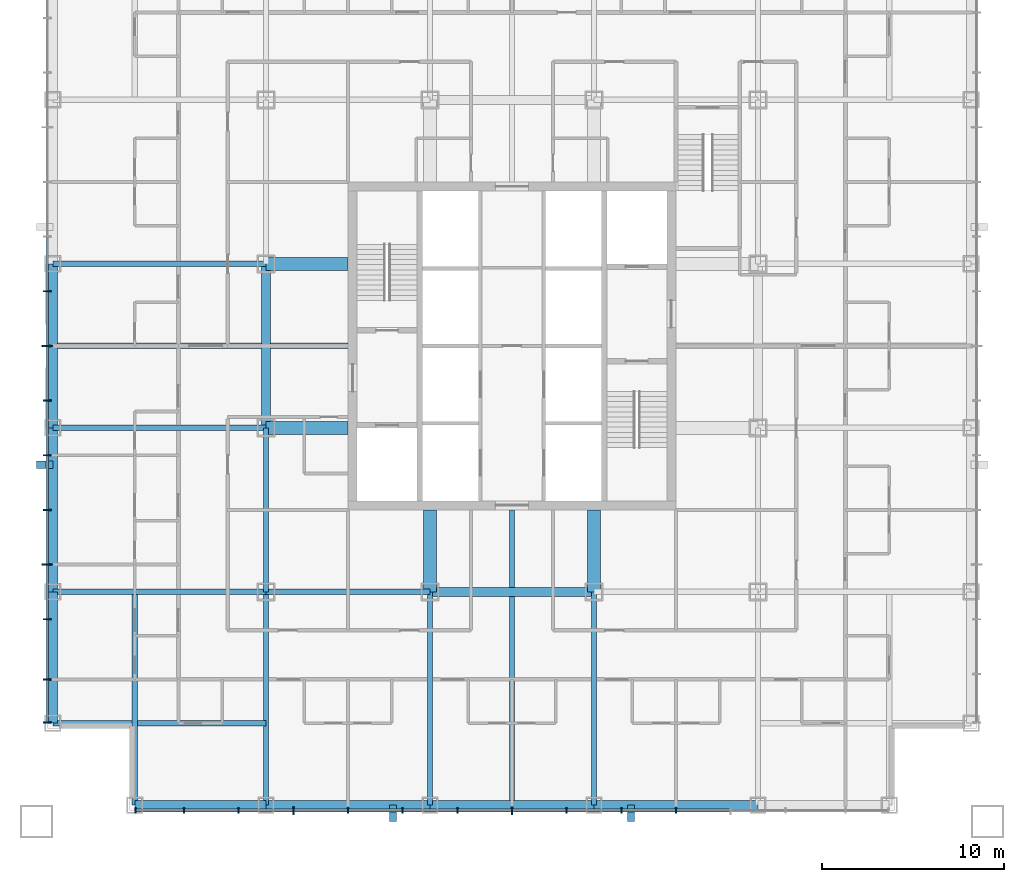
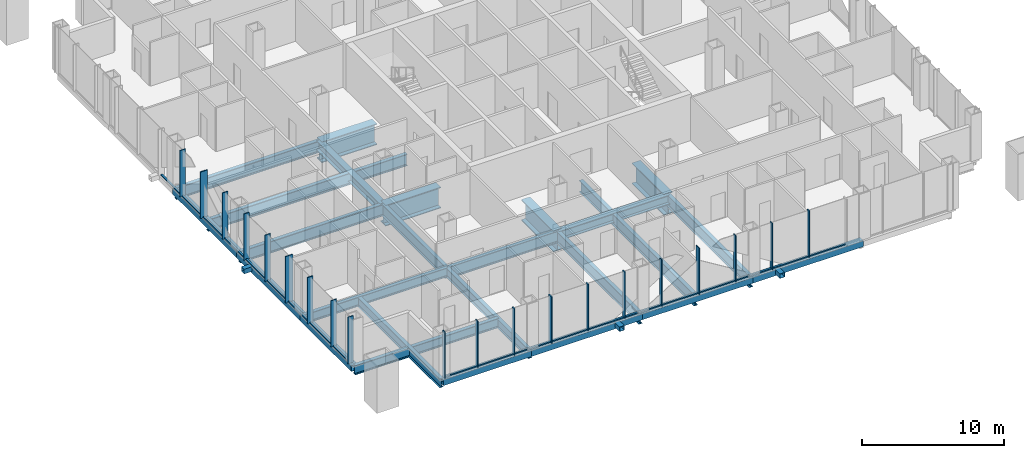
# One storey, part 2 of 13: 43 members, 25 beams, 2 elements without a shape of their own.
"""IFC4 building model written with IfcOpenShell, lengths in metres."""

import ifcopenshell
import ifcopenshell.guid

model = None  # the IFC model being written
_history = None  # IfcOwnerHistory: only IFC2X3 demands one
_inside = {}  # id of a spatial element -> (the spatial element, [elements in it])
_under = {}  # id of a project, library or spatial element -> (it, [spatial elements below it])
_declared = {}  # id of a project -> (the project, [libraries it declares])
_typed = {}  # id of a type object -> (the type object, [elements of that type])
_made_of = {}  # id of a material, layer set ... -> (it, [elements and type objects made of it])


def new_model(schema):
    """Start an empty IFC model of exactly this schema.

    Asked for "IFC4X3", IfcOpenShell would pick the latest addendum, in which some entities
    have other attributes; the version numbers below select the first issue.
    IFC2X3 requires an IfcOwnerHistory on every rooted entity: one is made here for all.
    """
    global model, _history
    if schema == "IFC4X3":
        model = ifcopenshell.file(schema_version=(4, 3, 0, 0))
    else:
        model = ifcopenshell.file(schema=schema)
    _inside.clear()
    _under.clear()
    _declared.clear()
    _typed.clear()
    _made_of.clear()
    _history = None
    if model.schema == "IFC2X3":
        org = make("IfcOrganization", Name="unknown")
        user = make(
            "IfcPersonAndOrganization",
            ThePerson=make("IfcPerson", FamilyName="unknown"),
            TheOrganization=org,
        )
        app = make(
            "IfcApplication",
            ApplicationDeveloper=org,
            Version="unknown",
            ApplicationFullName="unknown",
            ApplicationIdentifier="unknown",
        )
        _history = make(
            "IfcOwnerHistory",
            OwningUser=user,
            OwningApplication=app,
            ChangeAction="ADDED",
            CreationDate=0,
        )
    return model


def make(cls, **values):
    """One entity of the class cls with the attributes given. An attribute that is None is left unset."""
    return model.create_entity(
        cls, **{name: value for name, value in values.items() if value is not None}
    )


def rooted(cls, **values):
    """An entity with a GlobalId (a new one), such as an element, a storey or a relation."""
    return make(cls, GlobalId=ifcopenshell.guid.new(), OwnerHistory=_history, **values)


def si_unit(unit_type, name, prefix=None):
    """IfcSIUnit, for example si_unit("LENGTHUNIT", "METRE", prefix="MILLI")."""
    return make("IfcSIUnit", UnitType=unit_type, Prefix=prefix, Name=name)


def assignment(units):
    """IfcUnitAssignment: the units of a project."""
    return None if units is None else make("IfcUnitAssignment", Units=units)


def point(xyz):
    """IfcCartesianPoint."""
    return None if xyz is None else make("IfcCartesianPoint", Coordinates=xyz)


def direction(xyz):
    """IfcDirection."""
    return None if xyz is None else make("IfcDirection", DirectionRatios=xyz)


def frame(location, z_axis=None, x_axis=None):
    """IfcAxis2Placement3D, a coordinate frame: its origin and axes. An axis left out is left unset."""
    return make(
        "IfcAxis2Placement3D",
        Location=point(location),
        Axis=direction(z_axis),
        RefDirection=direction(x_axis),
    )


def frame_2d(location, x_axis=None):
    """IfcAxis2Placement2D, a coordinate frame in the plane: its origin and x axis."""
    return make(
        "IfcAxis2Placement2D", Location=point(location), RefDirection=direction(x_axis)
    )


def origin():
    """The frame at (0, 0, 0) with its axes left unset."""
    return frame((0.0, 0.0, 0.0))


def origin_2d():
    """The frame at (0, 0) in the plane with its x axis left unset."""
    return frame_2d((0.0, 0.0))


def place(relative_to, where):
    """IfcLocalPlacement: puts the frame where relative to a parent placement (None: the world)."""
    return make(
        "IfcLocalPlacement", PlacementRelTo=relative_to, RelativePlacement=where
    )


def context(
    kind, dimensions, precision=None, world=None, true_north=None, identifier=None
):
    """IfcGeometricRepresentationContext, for example the 3D "Model" context."""
    return make(
        "IfcGeometricRepresentationContext",
        ContextIdentifier=identifier,
        ContextType=kind,
        CoordinateSpaceDimension=dimensions,
        Precision=precision,
        WorldCoordinateSystem=world,
        TrueNorth=true_north,
    )


def subcontext(parent, identifier, kind, view, scale=None):
    """IfcGeometricRepresentationSubContext, for example "Body" below "Model"."""
    return make(
        "IfcGeometricRepresentationSubContext",
        ContextIdentifier=identifier,
        ContextType=kind,
        ParentContext=parent,
        TargetScale=scale,
        TargetView=view,
    )


def project(units=None, contexts=None):
    """IfcProject with its units and contexts."""
    return rooted(
        "IfcProject",
        Name="project",
        RepresentationContexts=contexts,
        UnitsInContext=assignment(units),
    )


def spatial(cls, under=None, at=None, **own):
    """A site, building, storey or space (cls), placed at a placement, below another one or the project."""
    s = rooted(cls, ObjectPlacement=at, **own)
    if under is not None:
        _under.setdefault(under.id(), (under, []))[1].append(s)
    return s


def profile(cls, at=None, kind="AREA", **sizes):
    """A parametric profile (cls). Its sizes go by their IFC names, for example OverallWidth=200.0."""
    return make(cls, ProfileType=kind, Position=at, **sizes)


def rectangle(**sizes):
    """IfcRectangleProfileDef."""
    return profile("IfcRectangleProfileDef", **sizes)


def hollow_rectangle(**sizes):
    """IfcRectangleHollowProfileDef."""
    return profile("IfcRectangleHollowProfileDef", **sizes)


def i_section(**sizes):
    """IfcIShapeProfileDef."""
    return profile("IfcIShapeProfileDef", **sizes)


def extrude(swept, where, along, depth):
    """IfcExtrudedAreaSolid: the profile swept, set in the frame where, extruded along a direction by depth."""
    return make(
        "IfcExtrudedAreaSolid",
        SweptArea=swept,
        Position=where,
        ExtrudedDirection=direction(along),
        Depth=depth,
    )


def shape(context_of_items, identifier, shape_type, items):
    """IfcShapeRepresentation: the items that make up one representation, for example the "Body"."""
    return make(
        "IfcShapeRepresentation",
        ContextOfItems=context_of_items,
        RepresentationIdentifier=identifier,
        RepresentationType=shape_type,
        Items=items,
    )


def material(Name=None, Category=None):
    """IfcMaterial."""
    return make("IfcMaterial", Name=Name, Category=Category)


def layer(
    of_material, thickness, ventilated=None, Name=None, Category=None, Priority=None
):
    """IfcMaterialLayer: one layer of a wall or slab, of a material (None: an air gap)."""
    return make(
        "IfcMaterialLayer",
        Material=of_material,
        LayerThickness=thickness,
        IsVentilated=ventilated,
        Name=Name,
        Category=Category,
        Priority=Priority,
    )


def layer_set(layers, Name=None):
    """IfcMaterialLayerSet."""
    return make("IfcMaterialLayerSet", MaterialLayers=layers, LayerSetName=Name)


def material_profile(
    of_material, cross_section, Name=None, Category=None, Priority=None
):
    """IfcMaterialProfile: a cross section and its material."""
    return make(
        "IfcMaterialProfile",
        Name=Name,
        Material=of_material,
        Profile=cross_section,
        Priority=Priority,
        Category=Category,
    )


def profile_set(profiles, Name=None, composite=None):
    """IfcMaterialProfileSet."""
    return make(
        "IfcMaterialProfileSet",
        Name=Name,
        MaterialProfiles=profiles,
        CompositeProfile=composite,
    )


def made_of(thing, what):
    """Note that an element or type object is made of a material, layer set ...; save() writes the relation."""
    if what is not None:
        _made_of.setdefault(what.id(), (what, []))[1].append(thing)
    return thing


def type_object(cls, material=None, **own):
    """A type object (cls), such as IfcWallType, which elements share."""
    return made_of(rooted(cls, **own), material)


def element(
    cls,
    number,
    at=None,
    inside=None,
    cuts=None,
    type_object=None,
    material=None,
    context=None,
    identifier="Body",
    shape_type=None,
    held_by="IfcProductDefinitionShape",
    body=None,
    shapes=None,
    **own,
):
    """One element of the class cls, such as IfcWall. Its Tag is "e" and its number.

    at: its placement. inside: the storey or other place that contains it. cuts: it is an
    opening in that element (IfcRelVoidsElement). A single representation is given by context,
    identifier, shape_type and body (its items); several are given by shapes. held_by: the class
    of the entity that holds the representations. save() writes the other relations.
    """
    e = rooted(cls, Tag="e%d" % number, ObjectPlacement=at, **own)
    if body is not None:
        shapes = [shape(context, identifier, shape_type, body)]
    if shapes is not None:
        e.Representation = make(held_by, Representations=shapes)
    if inside is not None:
        _inside.setdefault(inside.id(), (inside, []))[1].append(e)
    if cuts is not None:
        rooted(
            "IfcRelVoidsElement", RelatingBuildingElement=cuts, RelatedOpeningElement=e
        )
    if type_object is not None:
        _typed.setdefault(type_object.id(), (type_object, []))[1].append(e)
    return made_of(e, material)


def aggregate(whole, parts):
    """IfcRelAggregates: a whole, such as a stair, and the parts it consists of."""
    return rooted("IfcRelAggregates", RelatingObject=whole, RelatedObjects=parts)


def save(model, path):
    """Write the relations noted so far, then the file.

    IfcRelAggregates (storeys below a building ...), IfcRelContainedInSpatialStructure (elements
    in a storey), IfcRelDefinesByType, IfcRelAssociatesMaterial and IfcRelDeclares: one each for
    every whole, place, type object, material and project.
    """
    for whole, parts in _under.values():
        aggregate(whole, parts)
    for where, things in _inside.values():
        rooted(
            "IfcRelContainedInSpatialStructure",
            RelatedElements=things,
            RelatingStructure=where,
        )
    for kind, things in _typed.values():
        rooted("IfcRelDefinesByType", RelatedObjects=things, RelatingType=kind)
    for what, things in _made_of.values():
        rooted("IfcRelAssociatesMaterial", RelatedObjects=things, RelatingMaterial=what)
    for by, libraries in _declared.values():
        rooted("IfcRelDeclares", RelatingContext=by, RelatedDefinitions=libraries)
    model.write(path)


model = new_model("IFC4")

# Units and contexts
model_context = context("Model", 3, precision=1e-05, world=origin(), true_north=direction((0.0, 1.0)))
body_context = subcontext(model_context, "Body", "Model", "MODEL_VIEW")
ifc_project = project(units=[si_unit("LENGTHUNIT", "METRE"), si_unit("AREAUNIT", "SQUARE_METRE"), si_unit("VOLUMEUNIT", "CUBIC_METRE"), si_unit("PLANEANGLEUNIT", "RADIAN"), si_unit("MASSUNIT", "GRAM", prefix="KILO")], contexts=[model_context])

# Site, building, storey
site_placement = place(None, origin())
site = spatial("IfcSite", under=ifc_project, at=site_placement, CompositionType="ELEMENT")
building_placement = place(site_placement, origin())
building = spatial("IfcBuilding", under=site, at=building_placement, Name="Malebo Sky Hospital", CompositionType="ELEMENT")
storey_placement = place(building_placement, frame((0.0, 0.0, 43.0)))
storey = spatial("IfcBuildingStorey", under=building, at=storey_placement, Name="L09", CompositionType="ELEMENT", Elevation=43.0)

# Curtain wall, members
ifc_material_1 = material(Name="Anodised aluminium, natural silver", Category="aluminium")
ifc_layer_1 = layer(ifc_material_1, 0.25)
ifc_layer_set_1 = layer_set([ifc_layer_1], Name="WARD CURTAIN WALL EAST AND WEST")
curtain_wall_type_1 = type_object("IfcCurtainWallType", Name="WARD CURTAIN WALL EAST AND WEST", PredefinedType="NOTDEFINED", material=ifc_layer_set_1)
curtain_wall_1_placement = place(storey_placement, origin())
curtain_wall_1 = element("IfcCurtainWall", 1, at=curtain_wall_1_placement, inside=storey, type_object=curtain_wall_type_1, Name="EW curtain wall W", PredefinedType="NOTDEFINED")
ifc_material_profile_1 = material_profile(ifc_material_1, rectangle(XDim=0.14990234375, YDim=0.10009765625, at=origin_2d()), Name="ALUMINIUM TRANSOM 150x100")
ifc_profile_set_1 = profile_set([ifc_material_profile_1], Name="Anodised aluminium, natural silver")
member_type_1 = type_object("IfcMemberType", Name="ALUMINIUM TRANSOM 150x100", PredefinedType="USERDEFINED", material=ifc_profile_set_1)
member_1_placement = place(storey_placement, frame((34.5, 41.375, 0.050048828125), z_axis=(0.0, 1.0, 0.0), x_axis=(-1.0, 0.0, 0.0)))
member_1 = element("IfcMember", 2, at=member_1_placement, type_object=member_type_1, Name="Transom 1", ObjectType="TRANSOM", PredefinedType="USERDEFINED", context=body_context, shape_type="SweptSolid", body=[
    extrude(rectangle(XDim=0.14990234375, YDim=0.10009765625, at=origin_2d()), origin(), (0.0, 0.0, 1.0), 2.28759765625),
])
member_2_placement = place(storey_placement, frame((34.5, 43.737548828125, 0.050048828125), z_axis=(0.0, 1.0, 0.0), x_axis=(-1.0, 0.0, 0.0)))
member_2 = element("IfcMember", 3, at=member_2_placement, type_object=member_type_1, Name="Transom 2", ObjectType="TRANSOM", PredefinedType="USERDEFINED", context=body_context, shape_type="SweptSolid", body=[
    extrude(rectangle(XDim=0.14990234375, YDim=0.10009765625, at=origin_2d()), origin(), (0.0, 0.0, 1.0), 3.224853515625),
])
member_3_placement = place(storey_placement, frame((34.5, 47.03759765625, 0.050048828125), z_axis=(0.0, 1.0, 0.0), x_axis=(-1.0, 0.0, 0.0)))
member_3 = element("IfcMember", 4, at=member_3_placement, type_object=member_type_1, Name="Transom 3", ObjectType="TRANSOM", PredefinedType="USERDEFINED", context=body_context, shape_type="SweptSolid", body=[
    extrude(rectangle(XDim=0.14990234375, YDim=0.10009765625, at=origin_2d()), origin(), (0.0, 0.0, 1.0), 2.9248046875),
])
member_4_placement = place(storey_placement, frame((34.5, 50.03759765625, 0.050048828125), z_axis=(0.0, 1.0, 0.0), x_axis=(-1.0, 0.0, 0.0)))
member_4 = element("IfcMember", 5, at=member_4_placement, type_object=member_type_1, Name="Transom 4", ObjectType="TRANSOM", PredefinedType="USERDEFINED", context=body_context, shape_type="SweptSolid", body=[
    extrude(rectangle(XDim=0.14990234375, YDim=0.10009765625, at=origin_2d()), origin(), (0.0, 0.0, 1.0), 2.9248046875),
])
member_5_placement = place(storey_placement, frame((34.5, 53.03759765625, 0.050048828125), z_axis=(0.0, 1.0, 0.0), x_axis=(-1.0, 0.0, 0.0)))
member_5 = element("IfcMember", 6, at=member_5_placement, type_object=member_type_1, Name="Transom 5", ObjectType="TRANSOM", PredefinedType="USERDEFINED", context=body_context, shape_type="SweptSolid", body=[
    extrude(rectangle(XDim=0.14990234375, YDim=0.10009765625, at=origin_2d()), origin(), (0.0, 0.0, 1.0), 2.9248046875),
])
member_6_placement = place(storey_placement, frame((34.5, 56.03759765625, 0.050048828125), z_axis=(0.0, 1.0, 0.0), x_axis=(-1.0, 0.0, 0.0)))
member_6 = element("IfcMember", 7, at=member_6_placement, type_object=member_type_1, Name="Transom 6", ObjectType="TRANSOM", PredefinedType="USERDEFINED", context=body_context, shape_type="SweptSolid", body=[
    extrude(rectangle(XDim=0.14990234375, YDim=0.10009765625, at=origin_2d()), origin(), (0.0, 0.0, 1.0), 2.9248046875),
])
member_7_placement = place(storey_placement, frame((34.5, 59.03759765625, 0.050048828125), z_axis=(0.0, 1.0, 0.0), x_axis=(-1.0, 0.0, 0.0)))
member_7 = element("IfcMember", 8, at=member_7_placement, type_object=member_type_1, Name="Transom 7", ObjectType="TRANSOM", PredefinedType="USERDEFINED", context=body_context, shape_type="SweptSolid", body=[
    extrude(rectangle(XDim=0.14990234375, YDim=0.10009765625, at=origin_2d()), origin(), (0.0, 0.0, 1.0), 2.9248046875),
])
member_8_placement = place(storey_placement, frame((34.5, 62.03759765625, 0.050048828125), z_axis=(0.0, 1.0, 0.0), x_axis=(-1.0, 0.0, 0.0)))
member_8 = element("IfcMember", 9, at=member_8_placement, type_object=member_type_1, Name="Transom 8", ObjectType="TRANSOM", PredefinedType="USERDEFINED", context=body_context, shape_type="SweptSolid", body=[
    extrude(rectangle(XDim=0.14990234375, YDim=0.10009765625, at=origin_2d()), origin(), (0.0, 0.0, 1.0), 2.9248046875),
])
member_9_placement = place(storey_placement, frame((34.5, 65.03759765625, 0.050048828125), z_axis=(0.0, 1.0, 0.0), x_axis=(-1.0, 0.0, 0.0)))
member_9 = element("IfcMember", 10, at=member_9_placement, type_object=member_type_1, Name="Transom 9", ObjectType="TRANSOM", PredefinedType="USERDEFINED", context=body_context, shape_type="SweptSolid", body=[
    extrude(rectangle(XDim=0.14990234375, YDim=0.10009765625, at=origin_2d()), origin(), (0.0, 0.0, 1.0), 2.9248046875),
])

ifc_layer_2 = layer(ifc_material_1, 0.25)
ifc_layer_set_2 = layer_set([ifc_layer_2], Name="WARD CURTAIN WALL NORTH AND SOUTH")
curtain_wall_type_2 = type_object("IfcCurtainWallType", Name="WARD CURTAIN WALL NORTH AND SOUTH", PredefinedType="NOTDEFINED", material=ifc_layer_set_2)
curtain_wall_2_placement = place(storey_placement, origin())
curtain_wall_2 = element("IfcCurtainWall", 11, at=curtain_wall_2_placement, inside=storey, type_object=curtain_wall_type_2, Name="NS curtain wall S", PredefinedType="NOTDEFINED")
member_10_placement = place(storey_placement, frame((71.96240234375, 36.5, 0.050048828125), z_axis=(-1.0, 0.0, 0.0), x_axis=(0.0, -1.0, 0.0)))
member_10 = element("IfcMember", 12, at=member_10_placement, type_object=member_type_1, Name="Transom 4", ObjectType="TRANSOM", PredefinedType="USERDEFINED", context=body_context, shape_type="SweptSolid", body=[
    extrude(rectangle(XDim=0.14990234375, YDim=0.10009765625, at=origin_2d()), origin(), (0.0, 0.0, 1.0), 2.9248046875),
])
member_11_placement = place(storey_placement, frame((68.96240234375, 36.5, 0.050048828125), z_axis=(-1.0, 0.0, 0.0), x_axis=(0.0, -1.0, 0.0)))
member_11 = element("IfcMember", 13, at=member_11_placement, type_object=member_type_1, Name="Transom 5", ObjectType="TRANSOM", PredefinedType="USERDEFINED", context=body_context, shape_type="SweptSolid", body=[
    extrude(rectangle(XDim=0.14990234375, YDim=0.10009765625, at=origin_2d()), origin(), (0.0, 0.0, 1.0), 2.9248046875),
])
member_12_placement = place(storey_placement, frame((65.96240234375, 36.5, 0.050048828125), z_axis=(-1.0, 0.0, 0.0), x_axis=(0.0, -1.0, 0.0)))
member_12 = element("IfcMember", 14, at=member_12_placement, type_object=member_type_1, Name="Transom 6", ObjectType="TRANSOM", PredefinedType="USERDEFINED", context=body_context, shape_type="SweptSolid", body=[
    extrude(rectangle(XDim=0.14990234375, YDim=0.10009765625, at=origin_2d()), origin(), (0.0, 0.0, 1.0), 2.9248046875),
])
member_13_placement = place(storey_placement, frame((62.96240234375, 36.5, 0.050048828125), z_axis=(-1.0, 0.0, 0.0), x_axis=(0.0, -1.0, 0.0)))
member_13 = element("IfcMember", 15, at=member_13_placement, type_object=member_type_1, Name="Transom 7", ObjectType="TRANSOM", PredefinedType="USERDEFINED", context=body_context, shape_type="SweptSolid", body=[
    extrude(rectangle(XDim=0.14990234375, YDim=0.10009765625, at=origin_2d()), origin(), (0.0, 0.0, 1.0), 2.9248046875),
])
member_14_placement = place(storey_placement, frame((59.96240234375, 36.5, 0.050048828125), z_axis=(-1.0, 0.0, 0.0), x_axis=(0.0, -1.0, 0.0)))
member_14 = element("IfcMember", 16, at=member_14_placement, type_object=member_type_1, Name="Transom 8", ObjectType="TRANSOM", PredefinedType="USERDEFINED", context=body_context, shape_type="SweptSolid", body=[
    extrude(rectangle(XDim=0.14990234375, YDim=0.10009765625, at=origin_2d()), origin(), (0.0, 0.0, 1.0), 2.9248046875),
])
member_15_placement = place(storey_placement, frame((56.96240234375, 36.5, 0.050048828125), z_axis=(-1.0, 0.0, 0.0), x_axis=(0.0, -1.0, 0.0)))
member_15 = element("IfcMember", 17, at=member_15_placement, type_object=member_type_1, Name="Transom 9", ObjectType="TRANSOM", PredefinedType="USERDEFINED", context=body_context, shape_type="SweptSolid", body=[
    extrude(rectangle(XDim=0.14990234375, YDim=0.10009765625, at=origin_2d()), origin(), (0.0, 0.0, 1.0), 2.9248046875),
])
member_16_placement = place(storey_placement, frame((53.96240234375, 36.5, 0.050048828125), z_axis=(-1.0, 0.0, 0.0), x_axis=(0.0, -1.0, 0.0)))
member_16 = element("IfcMember", 18, at=member_16_placement, type_object=member_type_1, Name="Transom 10", ObjectType="TRANSOM", PredefinedType="USERDEFINED", context=body_context, shape_type="SweptSolid", body=[
    extrude(rectangle(XDim=0.14990234375, YDim=0.10009765625, at=origin_2d()), origin(), (0.0, 0.0, 1.0), 2.9248046875),
])
member_17_placement = place(storey_placement, frame((50.96240234375, 36.5, 0.050048828125), z_axis=(-1.0, 0.0, 0.0), x_axis=(0.0, -1.0, 0.0)))
member_17 = element("IfcMember", 19, at=member_17_placement, type_object=member_type_1, Name="Transom 11", ObjectType="TRANSOM", PredefinedType="USERDEFINED", context=body_context, shape_type="SweptSolid", body=[
    extrude(rectangle(XDim=0.14990234375, YDim=0.10009765625, at=origin_2d()), origin(), (0.0, 0.0, 1.0), 2.9248046875),
])
member_18_placement = place(storey_placement, frame((47.96240234375, 36.5, 0.050048828125), z_axis=(-1.0, 0.0, 0.0), x_axis=(0.0, -1.0, 0.0)))
member_18 = element("IfcMember", 20, at=member_18_placement, type_object=member_type_1, Name="Transom 12", ObjectType="TRANSOM", PredefinedType="USERDEFINED", context=body_context, shape_type="SweptSolid", body=[
    extrude(rectangle(XDim=0.14990234375, YDim=0.10009765625, at=origin_2d()), origin(), (0.0, 0.0, 1.0), 2.9248046875),
])
member_19_placement = place(storey_placement, frame((44.96240234375, 36.5, 0.050048828125), z_axis=(-1.0, 0.0, 0.0), x_axis=(0.0, -1.0, 0.0)))
member_19 = element("IfcMember", 21, at=member_19_placement, type_object=member_type_1, Name="Transom 13", ObjectType="TRANSOM", PredefinedType="USERDEFINED", context=body_context, shape_type="SweptSolid", body=[
    extrude(rectangle(XDim=0.14990234375, YDim=0.10009765625, at=origin_2d()), origin(), (0.0, 0.0, 1.0), 2.9248046875),
])
member_20_placement = place(storey_placement, frame((41.96240234375, 36.5, 0.050048828125), z_axis=(-1.0, 0.0, 0.0), x_axis=(0.0, -1.0, 0.0)))
member_20 = element("IfcMember", 22, at=member_20_placement, type_object=member_type_1, Name="Transom 14", ObjectType="TRANSOM", PredefinedType="USERDEFINED", context=body_context, shape_type="SweptSolid", body=[
    extrude(rectangle(XDim=0.14990234375, YDim=0.10009765625, at=origin_2d()), origin(), (0.0, 0.0, 1.0), 2.58740234375),
])

# Members
ifc_material_2 = material(Name="Steel S355", Category="steel")
ifc_material_profile_2 = material_profile(ifc_material_2, hollow_rectangle(XDim=0.39990234375, YDim=0.39990234375, WallThickness=0.02001953125, at=origin_2d()), Name="SHS 400x20")
ifc_profile_set_2 = profile_set([ifc_material_profile_2], Name="Steel S355")
member_type_2 = type_object("IfcMemberType", Name="BRACE STRUT SHS 400x20", PredefinedType="STRUT", material=ifc_profile_set_2)
for number, where, z_axis, x_axis, name in (
    (23, (53.47509765625, 35.89990234375, -0.39990234375), (0.0, 1.0, 0.0), (-1.0, 0.0, 0.0), "Brace strut AS1 L09"),
    (24, (66.52490234375, 35.89990234375, -0.39990234375), (0.0, 1.0, 0.0), (-1.0, 0.0, 0.0), "Brace strut AS2 L09"),
    (25, (33.89990234375, 55.47509765625, -0.39990234375), (1.0, 0.0, 0.0), (0.0, 1.0, 0.0), "Brace strut AW2 L09"),
):
    element("IfcMember", number, at=place(storey_placement, frame(where, z_axis=z_axis, x_axis=x_axis)), inside=storey, type_object=member_type_2, Name=name, PredefinedType="STRUT", context=body_context, shape_type="SweptSolid", body=[
        extrude(hollow_rectangle(XDim=0.39990234375, YDim=0.39990234375, WallThickness=0.02001953125, at=origin_2d()), origin(), (0.0, 0.0, 1.0), 0.900146484375),
    ])

# Member
ifc_material_profile_3 = material_profile(ifc_material_1, rectangle(XDim=0.074951171875, YDim=0.300048828125, at=origin_2d()), Name="CW1 ALUMINIUM FIN MULLION 75x300")
ifc_profile_set_3 = profile_set([ifc_material_profile_3], Name="Anodised aluminium, natural silver")
member_type_3 = type_object("IfcMemberType", Name="CW1 ALUMINIUM FIN MULLION 75x300", PredefinedType="MULLION", material=ifc_profile_set_3)
member_21_placement = place(storey_placement, frame((69.0, 36.5, 0.0), z_axis=(0.0, 0.0, 1.0), x_axis=(-1.0, 0.0, 0.0)))
member_21 = element("IfcMember", 26, at=member_21_placement, type_object=member_type_3, Name="Fin mullion 5", PredefinedType="MULLION", context=body_context, shape_type="SweptSolid", body=[
    extrude(rectangle(XDim=0.074951171875, YDim=0.300048828125, at=origin_2d()), origin(), (0.0, 0.0, 1.0), 4.0),
])

member_22_placement = place(storey_placement, frame((66.0, 36.5, 0.0), z_axis=(0.0, 0.0, 1.0), x_axis=(-1.0, 0.0, 0.0)))
member_22 = element("IfcMember", 27, at=member_22_placement, type_object=member_type_3, Name="Fin mullion 6", PredefinedType="MULLION", context=body_context, shape_type="SweptSolid", body=[
    extrude(rectangle(XDim=0.074951171875, YDim=0.300048828125, at=origin_2d()), origin(), (0.0, 0.0, 1.0), 4.0),
])

member_23_placement = place(storey_placement, frame((63.0, 36.5, 0.0), z_axis=(0.0, 0.0, 1.0), x_axis=(-1.0, 0.0, 0.0)))
member_23 = element("IfcMember", 28, at=member_23_placement, type_object=member_type_3, Name="Fin mullion 7", PredefinedType="MULLION", context=body_context, shape_type="SweptSolid", body=[
    extrude(rectangle(XDim=0.074951171875, YDim=0.300048828125, at=origin_2d()), origin(), (0.0, 0.0, 1.0), 4.0),
])

member_24_placement = place(storey_placement, frame((57.0, 36.5, 0.0), z_axis=(0.0, 0.0, 1.0), x_axis=(-1.0, 0.0, 0.0)))
member_24 = element("IfcMember", 29, at=member_24_placement, type_object=member_type_3, Name="Fin mullion 9", PredefinedType="MULLION", context=body_context, shape_type="SweptSolid", body=[
    extrude(rectangle(XDim=0.074951171875, YDim=0.300048828125, at=origin_2d()), origin(), (0.0, 0.0, 1.0), 4.0),
])

member_25_placement = place(storey_placement, frame((54.0, 36.5, 0.0), z_axis=(0.0, 0.0, 1.0), x_axis=(-1.0, 0.0, 0.0)))
member_25 = element("IfcMember", 30, at=member_25_placement, type_object=member_type_3, Name="Fin mullion 10", PredefinedType="MULLION", context=body_context, shape_type="SweptSolid", body=[
    extrude(rectangle(XDim=0.074951171875, YDim=0.300048828125, at=origin_2d()), origin(), (0.0, 0.0, 1.0), 4.0),
])

member_26_placement = place(storey_placement, frame((51.0, 36.5, 0.0), z_axis=(0.0, 0.0, 1.0), x_axis=(-1.0, 0.0, 0.0)))
member_26 = element("IfcMember", 31, at=member_26_placement, type_object=member_type_3, Name="Fin mullion 11", PredefinedType="MULLION", context=body_context, shape_type="SweptSolid", body=[
    extrude(rectangle(XDim=0.074951171875, YDim=0.300048828125, at=origin_2d()), origin(), (0.0, 0.0, 1.0), 4.0),
])

member_27_placement = place(storey_placement, frame((45.0, 36.5, 0.0), z_axis=(0.0, 0.0, 1.0), x_axis=(-1.0, 0.0, 0.0)))
member_27 = element("IfcMember", 32, at=member_27_placement, type_object=member_type_3, Name="Fin mullion 13", PredefinedType="MULLION", context=body_context, shape_type="SweptSolid", body=[
    extrude(rectangle(XDim=0.074951171875, YDim=0.300048828125, at=origin_2d()), origin(), (0.0, 0.0, 1.0), 4.0),
])

member_28_placement = place(storey_placement, frame((42.0, 36.5, 0.0), z_axis=(0.0, 0.0, 1.0), x_axis=(-1.0, 0.0, 0.0)))
member_28 = element("IfcMember", 33, at=member_28_placement, type_object=member_type_3, Name="Fin mullion 14", PredefinedType="MULLION", context=body_context, shape_type="SweptSolid", body=[
    extrude(rectangle(XDim=0.074951171875, YDim=0.300048828125, at=origin_2d()), origin(), (0.0, 0.0, 1.0), 4.0),
])

member_29_placement = place(storey_placement, frame((39.33740234375, 36.5, 0.0), z_axis=(0.0, 0.0, 1.0), x_axis=(-1.0, 0.0, 0.0)))
member_29 = element("IfcMember", 34, at=member_29_placement, type_object=member_type_3, Name="Fin mullion 15", PredefinedType="MULLION", context=body_context, shape_type="SweptSolid", body=[
    extrude(rectangle(XDim=0.074951171875, YDim=0.300048828125, at=origin_2d()), origin(), (0.0, 0.0, 1.0), 4.0),
])

ifc_material_profile_4 = material_profile(ifc_material_1, rectangle(XDim=0.074951171875, YDim=0.449951171875, at=origin_2d()), Name="CW1 ALUMINIUM FIN MULLION 75x450")
ifc_profile_set_4 = profile_set([ifc_material_profile_4], Name="Anodised aluminium, natural silver")
member_type_4 = type_object("IfcMemberType", Name="CW1 ALUMINIUM FIN MULLION 75x450", PredefinedType="MULLION", material=ifc_profile_set_4)
member_30_placement = place(storey_placement, frame((60.0, 36.5, 0.0), z_axis=(0.0, 0.0, 1.0), x_axis=(-1.0, 0.0, 0.0)))
member_30 = element("IfcMember", 35, at=member_30_placement, type_object=member_type_4, Name="Fin mullion 8", PredefinedType="MULLION", context=body_context, shape_type="SweptSolid", body=[
    extrude(rectangle(XDim=0.074951171875, YDim=0.449951171875, at=origin_2d()), origin(), (0.0, 0.0, 1.0), 4.0),
])

member_31_placement = place(storey_placement, frame((48.0, 36.5, 0.0), z_axis=(0.0, 0.0, 1.0), x_axis=(-1.0, 0.0, 0.0)))
member_31 = element("IfcMember", 36, at=member_31_placement, type_object=member_type_4, Name="Fin mullion 12", PredefinedType="MULLION", context=body_context, shape_type="SweptSolid", body=[
    extrude(rectangle(XDim=0.074951171875, YDim=0.449951171875, at=origin_2d()), origin(), (0.0, 0.0, 1.0), 4.0),
])

aggregate(curtain_wall_2, [member_21, member_22, member_23, member_30, member_24, member_25, member_26, member_31, member_27, member_28, member_29, member_10, member_11, member_12, member_13, member_14, member_15, member_16, member_17, member_18, member_19, member_20])

ifc_material_profile_5 = material_profile(ifc_material_1, rectangle(XDim=0.074951171875, YDim=0.449951171875, at=origin_2d()), Name="CW2 ALUMINIUM FIN MULLION 75x450")
ifc_profile_set_5 = profile_set([ifc_material_profile_5], Name="Anodised aluminium, natural silver")
member_type_5 = type_object("IfcMemberType", Name="CW2 ALUMINIUM FIN MULLION 75x450", PredefinedType="MULLION", material=ifc_profile_set_5)
member_32_placement = place(storey_placement, frame((34.5, 41.33740234375, 0.0), z_axis=(0.0, 0.0, 1.0), x_axis=(0.0, 1.0, 0.0)))
member_32 = element("IfcMember", 37, at=member_32_placement, type_object=member_type_5, Name="Fin mullion 1", PredefinedType="MULLION", context=body_context, shape_type="SweptSolid", body=[
    extrude(rectangle(XDim=0.074951171875, YDim=0.449951171875, at=origin_2d()), origin(), (0.0, 0.0, 1.0), 4.0),
])

member_33_placement = place(storey_placement, frame((34.5, 43.699951171875, 0.0), z_axis=(0.0, 0.0, 1.0), x_axis=(0.0, 1.0, 0.0)))
member_33 = element("IfcMember", 38, at=member_33_placement, type_object=member_type_5, Name="Fin mullion 2", PredefinedType="MULLION", context=body_context, shape_type="SweptSolid", body=[
    extrude(rectangle(XDim=0.074951171875, YDim=0.449951171875, at=origin_2d()), origin(), (0.0, 0.0, 1.0), 4.0),
])

member_34_placement = place(storey_placement, frame((34.5, 47.0, 0.0), z_axis=(0.0, 0.0, 1.0), x_axis=(0.0, 1.0, 0.0)))
member_34 = element("IfcMember", 39, at=member_34_placement, type_object=member_type_5, Name="Fin mullion 3", PredefinedType="MULLION", context=body_context, shape_type="SweptSolid", body=[
    extrude(rectangle(XDim=0.074951171875, YDim=0.449951171875, at=origin_2d()), origin(), (0.0, 0.0, 1.0), 4.0),
])

member_35_placement = place(storey_placement, frame((34.5, 53.0, 0.0), z_axis=(0.0, 0.0, 1.0), x_axis=(0.0, 1.0, 0.0)))
member_35 = element("IfcMember", 40, at=member_35_placement, type_object=member_type_5, Name="Fin mullion 5", PredefinedType="MULLION", context=body_context, shape_type="SweptSolid", body=[
    extrude(rectangle(XDim=0.074951171875, YDim=0.449951171875, at=origin_2d()), origin(), (0.0, 0.0, 1.0), 4.0),
])

member_36_placement = place(storey_placement, frame((34.5, 56.0, 0.0), z_axis=(0.0, 0.0, 1.0), x_axis=(0.0, 1.0, 0.0)))
member_36 = element("IfcMember", 41, at=member_36_placement, type_object=member_type_5, Name="Fin mullion 6", PredefinedType="MULLION", context=body_context, shape_type="SweptSolid", body=[
    extrude(rectangle(XDim=0.074951171875, YDim=0.449951171875, at=origin_2d()), origin(), (0.0, 0.0, 1.0), 4.0),
])

member_37_placement = place(storey_placement, frame((34.5, 59.0, 0.0), z_axis=(0.0, 0.0, 1.0), x_axis=(0.0, 1.0, 0.0)))
member_37 = element("IfcMember", 42, at=member_37_placement, type_object=member_type_5, Name="Fin mullion 7", PredefinedType="MULLION", context=body_context, shape_type="SweptSolid", body=[
    extrude(rectangle(XDim=0.074951171875, YDim=0.449951171875, at=origin_2d()), origin(), (0.0, 0.0, 1.0), 4.0),
])

member_38_placement = place(storey_placement, frame((34.5, 65.0, 0.0), z_axis=(0.0, 0.0, 1.0), x_axis=(0.0, 1.0, 0.0)))
member_38 = element("IfcMember", 43, at=member_38_placement, type_object=member_type_5, Name="Fin mullion 9", PredefinedType="MULLION", context=body_context, shape_type="SweptSolid", body=[
    extrude(rectangle(XDim=0.074951171875, YDim=0.449951171875, at=origin_2d()), origin(), (0.0, 0.0, 1.0), 4.0),
])

ifc_material_profile_6 = material_profile(ifc_material_1, rectangle(XDim=0.074951171875, YDim=0.60009765625, at=origin_2d()), Name="CW2 ALUMINIUM FIN MULLION 75x600")
ifc_profile_set_6 = profile_set([ifc_material_profile_6], Name="Anodised aluminium, natural silver")
member_type_6 = type_object("IfcMemberType", Name="CW2 ALUMINIUM FIN MULLION 75x600", PredefinedType="MULLION", material=ifc_profile_set_6)
member_39_placement = place(storey_placement, frame((34.5, 50.0, 0.0), z_axis=(0.0, 0.0, 1.0), x_axis=(0.0, 1.0, 0.0)))
member_39 = element("IfcMember", 44, at=member_39_placement, type_object=member_type_6, Name="Fin mullion 4", PredefinedType="MULLION", context=body_context, shape_type="SweptSolid", body=[
    extrude(rectangle(XDim=0.074951171875, YDim=0.60009765625, at=origin_2d()), origin(), (0.0, 0.0, 1.0), 4.0),
])

member_40_placement = place(storey_placement, frame((34.5, 62.0, 0.0), z_axis=(0.0, 0.0, 1.0), x_axis=(0.0, 1.0, 0.0)))
member_40 = element("IfcMember", 45, at=member_40_placement, type_object=member_type_6, Name="Fin mullion 8", PredefinedType="MULLION", context=body_context, shape_type="SweptSolid", body=[
    extrude(rectangle(XDim=0.074951171875, YDim=0.60009765625, at=origin_2d()), origin(), (0.0, 0.0, 1.0), 4.0),
])

aggregate(curtain_wall_1, [member_32, member_33, member_34, member_39, member_35, member_36, member_37, member_40, member_38, member_1, member_2, member_3, member_4, member_5, member_6, member_7, member_8, member_9])

# Beams
ifc_material_3 = material(Name="Steel S460", Category="steel")
ifc_material_profile_7 = material_profile(ifc_material_3, hollow_rectangle(XDim=0.5, YDim=0.5, WallThickness=0.030029296875, at=origin_2d()), Name="BOX 500x500x30")
ifc_profile_set_7 = profile_set([ifc_material_profile_7], Name="Steel S460")
beam_type_1 = type_object("IfcBeamType", Name="EDGE BEAM BOX 500x500x30", PredefinedType="BEAM", material=ifc_profile_set_7)
beam_1_placement = place(storey_placement, frame((34.800048828125, 41.300048828125, -0.5), z_axis=(0.0, 1.0, 0.0), x_axis=(-1.0, 0.0, 0.0)))
element("IfcBeam", 46, at=beam_1_placement, inside=storey, type_object=beam_type_1, Name="Beam 000 L09", PredefinedType="BEAM", context=body_context, shape_type="SweptSolid", body=[
    extrude(hollow_rectangle(XDim=0.5, YDim=0.5, WallThickness=0.030029296875, at=origin_2d()), origin(), (0.0, 0.0, 1.0), 7.199951171875),
])
for number, where, z_axis, x_axis, name in (
    (47, (34.800048828125, 48.5, -0.5), (0.0, 1.0, 0.0), (-1.0, 0.0, 0.0), "Beam 001 L09"),
    (48, (34.800048828125, 57.5, -0.5), (0.0, 1.0, 0.0), (-1.0, 0.0, 0.0), "Beam 002 L09"),
):
    element("IfcBeam", number, at=place(storey_placement, frame(where, z_axis=z_axis, x_axis=x_axis)), inside=storey, type_object=beam_type_1, Name=name, PredefinedType="BEAM", context=body_context, shape_type="SweptSolid", body=[
        extrude(hollow_rectangle(XDim=0.5, YDim=0.5, WallThickness=0.030029296875, at=origin_2d()), origin(), (0.0, 0.0, 1.0), 9.0),
    ])
beam_2_placement = place(storey_placement, frame((39.300048828125, 36.800048828125, -0.5), z_axis=(1.0, 0.0, 0.0), x_axis=(0.0, 1.0, 0.0)))
element("IfcBeam", 49, at=beam_2_placement, inside=storey, type_object=beam_type_1, Name="Beam 034 L09", PredefinedType="BEAM", context=body_context, shape_type="SweptSolid", body=[
    extrude(hollow_rectangle(XDim=0.5, YDim=0.5, WallThickness=0.030029296875, at=origin_2d()), origin(), (0.0, 0.0, 1.0), 7.199951171875),
])
for number, where, z_axis, x_axis, name in (
    (50, (46.5, 36.800048828125, -0.5), (1.0, 0.0, 0.0), (0.0, 1.0, 0.0), "Beam 035 L09"),
    (51, (55.5, 36.800048828125, -0.5), (1.0, 0.0, 0.0), (0.0, 1.0, 0.0), "Beam 036 L09"),
    (52, (64.5, 36.800048828125, -0.5), (1.0, 0.0, 0.0), (0.0, 1.0, 0.0), "Beam 037 L09"),
):
    element("IfcBeam", number, at=place(storey_placement, frame(where, z_axis=z_axis, x_axis=x_axis)), inside=storey, type_object=beam_type_1, Name=name, PredefinedType="BEAM", context=body_context, shape_type="SweptSolid", body=[
        extrude(hollow_rectangle(XDim=0.5, YDim=0.5, WallThickness=0.030029296875, at=origin_2d()), origin(), (0.0, 0.0, 1.0), 9.0),
    ])
ifc_material_profile_8 = material_profile(ifc_material_2, i_section(OverallWidth=0.300048828125, OverallDepth=1.0, WebThickness=0.01904296875, FlangeThickness=0.035888671875, FilletRadius=0.030029296875, at=origin_2d()), Name="HEB 1000")
ifc_profile_set_8 = profile_set([ifc_material_profile_8], Name="Steel S355")
beam_type_2 = type_object("IfcBeamType", Name="FLOOR BEAM HEB 1000", PredefinedType="BEAM", material=ifc_profile_set_8)
beam_3_placement = place(storey_placement, frame((46.5, 48.5, -0.75), z_axis=(0.0, 1.0, 0.0), x_axis=(-1.0, 0.0, 0.0)))
element("IfcBeam", 53, at=beam_3_placement, inside=storey, type_object=beam_type_2, Name="Beam 008 L09", PredefinedType="BEAM", context=body_context, shape_type="SweptSolid", body=[
    extrude(i_section(OverallWidth=0.300048828125, OverallDepth=1.0, WebThickness=0.01904296875, FlangeThickness=0.035888671875, FilletRadius=0.030029296875, at=origin_2d()), origin(), (0.0, 0.0, 1.0), 9.0),
])
beam_4_placement = place(storey_placement, frame((55.5, 36.800048828125, -0.75), z_axis=(0.0, 1.0, 0.0), x_axis=(-1.0, 0.0, 0.0)))
element("IfcBeam", 54, at=beam_4_placement, inside=storey, type_object=beam_type_2, Name="Beam 012 L09", PredefinedType="BEAM", context=body_context, shape_type="SweptSolid", body=[
    extrude(i_section(OverallWidth=0.300048828125, OverallDepth=1.0, WebThickness=0.01904296875, FlangeThickness=0.035888671875, FilletRadius=0.030029296875, at=origin_2d()), origin(), (0.0, 0.0, 1.0), 11.699951171875),
])
beam_5_placement = place(storey_placement, frame((60.0, 36.800048828125, -0.75), z_axis=(0.0, 1.0, 0.0), x_axis=(-1.0, 0.0, 0.0)))
element("IfcBeam", 55, at=beam_5_placement, inside=storey, type_object=beam_type_2, Name="Beam 016 L09", PredefinedType="BEAM", context=body_context, shape_type="SweptSolid", body=[
    extrude(i_section(OverallWidth=0.300048828125, OverallDepth=1.0, WebThickness=0.01904296875, FlangeThickness=0.035888671875, FilletRadius=0.030029296875, at=origin_2d()), origin(), (0.0, 0.0, 1.0), 16.199951171875),
])
beam_6_placement = place(storey_placement, frame((64.5, 36.800048828125, -0.75), z_axis=(0.0, 1.0, 0.0), x_axis=(-1.0, 0.0, 0.0)))
element("IfcBeam", 56, at=beam_6_placement, inside=storey, type_object=beam_type_2, Name="Beam 018 L09", PredefinedType="BEAM", context=body_context, shape_type="SweptSolid", body=[
    extrude(i_section(OverallWidth=0.300048828125, OverallDepth=1.0, WebThickness=0.01904296875, FlangeThickness=0.035888671875, FilletRadius=0.030029296875, at=origin_2d()), origin(), (0.0, 0.0, 1.0), 11.699951171875),
])
beam_7_placement = place(storey_placement, frame((46.5, 48.5, -0.75), z_axis=(1.0, 0.0, 0.0), x_axis=(0.0, 1.0, 0.0)))
element("IfcBeam", 57, at=beam_7_placement, inside=storey, type_object=beam_type_2, Name="Beam 042 L09", PredefinedType="BEAM", context=body_context, shape_type="SweptSolid", body=[
    extrude(i_section(OverallWidth=0.300048828125, OverallDepth=1.0, WebThickness=0.01904296875, FlangeThickness=0.035888671875, FilletRadius=0.030029296875, at=origin_2d()), origin(), (0.0, 0.0, 1.0), 9.0),
])
beam_8_placement = place(storey_placement, frame((34.800048828125, 57.5, -0.75), z_axis=(1.0, 0.0, 0.0), x_axis=(0.0, 1.0, 0.0)))
element("IfcBeam", 58, at=beam_8_placement, inside=storey, type_object=beam_type_2, Name="Beam 046 L09", PredefinedType="BEAM", context=body_context, shape_type="SweptSolid", body=[
    extrude(i_section(OverallWidth=0.300048828125, OverallDepth=1.0, WebThickness=0.01904296875, FlangeThickness=0.035888671875, FilletRadius=0.030029296875, at=origin_2d()), origin(), (0.0, 0.0, 1.0), 11.699951171875),
])
beam_9_placement = place(storey_placement, frame((34.800048828125, 62.0, -0.75), z_axis=(1.0, 0.0, 0.0), x_axis=(0.0, 1.0, 0.0)))
element("IfcBeam", 59, at=beam_9_placement, inside=storey, type_object=beam_type_2, Name="Beam 050 L09", PredefinedType="BEAM", context=body_context, shape_type="SweptSolid", body=[
    extrude(i_section(OverallWidth=0.300048828125, OverallDepth=1.0, WebThickness=0.01904296875, FlangeThickness=0.035888671875, FilletRadius=0.030029296875, at=origin_2d()), origin(), (0.0, 0.0, 1.0), 16.199951171875),
])
beam_10_placement = place(storey_placement, frame((34.800048828125, 66.5, -0.75), z_axis=(1.0, 0.0, 0.0), x_axis=(0.0, 1.0, 0.0)))
element("IfcBeam", 60, at=beam_10_placement, inside=storey, type_object=beam_type_2, Name="Beam 052 L09", PredefinedType="BEAM", context=body_context, shape_type="SweptSolid", body=[
    extrude(i_section(OverallWidth=0.300048828125, OverallDepth=1.0, WebThickness=0.01904296875, FlangeThickness=0.035888671875, FilletRadius=0.030029296875, at=origin_2d()), origin(), (0.0, 0.0, 1.0), 11.699951171875),
])
ifc_material_profile_9 = material_profile(ifc_material_2, i_section(OverallWidth=0.300048828125, OverallDepth=0.800048828125, WebThickness=0.017578125, FlangeThickness=0.032958984375, FilletRadius=0.030029296875, at=origin_2d()), Name="HEB 800")
ifc_profile_set_9 = profile_set([ifc_material_profile_9], Name="Steel S355")
beam_type_3 = type_object("IfcBeamType", Name="FLOOR BEAM HEB 800", PredefinedType="BEAM", material=ifc_profile_set_9)
for number, where, z_axis, x_axis, name in (
    (61, (39.300048828125, 36.800048828125, -0.64990234375), (0.0, 1.0, 0.0), (-1.0, 0.0, 0.0), "Beam 005 L09"),
    (62, (34.800048828125, 41.300048828125, -0.64990234375), (1.0, 0.0, 0.0), (0.0, 1.0, 0.0), "Beam 039 L09"),
):
    element("IfcBeam", number, at=place(storey_placement, frame(where, z_axis=z_axis, x_axis=x_axis)), inside=storey, type_object=beam_type_3, Name=name, PredefinedType="BEAM", context=body_context, shape_type="SweptSolid", body=[
        extrude(i_section(OverallWidth=0.300048828125, OverallDepth=0.800048828125, WebThickness=0.017578125, FlangeThickness=0.032958984375, FilletRadius=0.030029296875, at=origin_2d()), origin(), (0.0, 0.0, 1.0), 11.699951171875),
    ])
ifc_material_profile_10 = material_profile(ifc_material_2, i_section(OverallWidth=0.699951171875, OverallDepth=1.800048828125, WebThickness=0.034912109375, FlangeThickness=0.070068359375, at=origin_2d()), Name="PG 1800x700x35x70")
ifc_profile_set_10 = profile_set([ifc_material_profile_10], Name="Steel S355")
beam_type_4 = type_object("IfcBeamType", Name="FLOOR BEAM PG 1800x700x35x70", PredefinedType="BEAM", material=ifc_profile_set_10)
for number, where, z_axis, x_axis, name in (
    (63, (55.5, 48.5, -1.14990234375), (0.0, 1.0, 0.0), (-1.0, 0.0, 0.0), "Beam 013 L09"),
    (64, (64.5, 48.5, -1.14990234375), (0.0, 1.0, 0.0), (-1.0, 0.0, 0.0), "Beam 019 L09"),
    (65, (46.5, 57.5, -1.14990234375), (1.0, 0.0, 0.0), (0.0, 1.0, 0.0), "Beam 047 L09"),
    (66, (46.5, 66.5, -1.14990234375), (1.0, 0.0, 0.0), (0.0, 1.0, 0.0), "Beam 053 L09"),
):
    element("IfcBeam", number, at=place(storey_placement, frame(where, z_axis=z_axis, x_axis=x_axis)), inside=storey, type_object=beam_type_4, Name=name, PredefinedType="BEAM", context=body_context, shape_type="SweptSolid", body=[
        extrude(i_section(OverallWidth=0.699951171875, OverallDepth=1.800048828125, WebThickness=0.034912109375, FlangeThickness=0.070068359375, at=origin_2d()), origin(), (0.0, 0.0, 1.0), 4.5),
    ])
ifc_material_profile_11 = material_profile(ifc_material_2, i_section(OverallWidth=0.300048828125, OverallDepth=0.800048828125, WebThickness=0.017578125, FlangeThickness=0.032958984375, FilletRadius=0.030029296875, at=origin_2d()), Name="HEB 800")
ifc_profile_set_11 = profile_set([ifc_material_profile_11], Name="Steel S355")
beam_type_5 = type_object("IfcBeamType", Name="FLOOR GIRDER HEB 800", PredefinedType="BEAM", material=ifc_profile_set_11)
for number, where, z_axis, x_axis, name in (
    (67, (46.5, 36.800048828125, -0.64990234375), (0.0, 1.0, 0.0), (-1.0, 0.0, 0.0), "Beam 007 L09"),
    (68, (34.800048828125, 48.5, -0.64990234375), (1.0, 0.0, 0.0), (0.0, 1.0, 0.0), "Beam 041 L09"),
):
    element("IfcBeam", number, at=place(storey_placement, frame(where, z_axis=z_axis, x_axis=x_axis)), inside=storey, type_object=beam_type_5, Name=name, PredefinedType="BEAM", context=body_context, shape_type="SweptSolid", body=[
        extrude(i_section(OverallWidth=0.300048828125, OverallDepth=0.800048828125, WebThickness=0.017578125, FlangeThickness=0.032958984375, FilletRadius=0.030029296875, at=origin_2d()), origin(), (0.0, 0.0, 1.0), 11.699951171875),
    ])
ifc_material_profile_12 = material_profile(ifc_material_2, i_section(OverallWidth=0.5, OverallDepth=0.800048828125, WebThickness=0.030029296875, FlangeThickness=0.050048828125, at=origin_2d()), Name="PG 800x500x30x50")
ifc_profile_set_12 = profile_set([ifc_material_profile_12], Name="Steel S355")
beam_type_6 = type_object("IfcBeamType", Name="RING GIRDER PG 800x500x30x50", PredefinedType="BEAM", material=ifc_profile_set_12)
for number, where, z_axis, x_axis, name in (
    (69, (46.5, 57.5, -0.64990234375), (0.0, 1.0, 0.0), (-1.0, 0.0, 0.0), "Beam 009 L09"),
    (70, (55.5, 48.5, -0.64990234375), (1.0, 0.0, 0.0), (0.0, 1.0, 0.0), "Beam 043 L09"),
):
    element("IfcBeam", number, at=place(storey_placement, frame(where, z_axis=z_axis, x_axis=x_axis)), inside=storey, type_object=beam_type_6, Name=name, PredefinedType="BEAM", context=body_context, shape_type="SweptSolid", body=[
        extrude(i_section(OverallWidth=0.5, OverallDepth=0.800048828125, WebThickness=0.030029296875, FlangeThickness=0.050048828125, at=origin_2d()), origin(), (0.0, 0.0, 1.0), 9.0),
    ])

save(model, "model.ifc")
